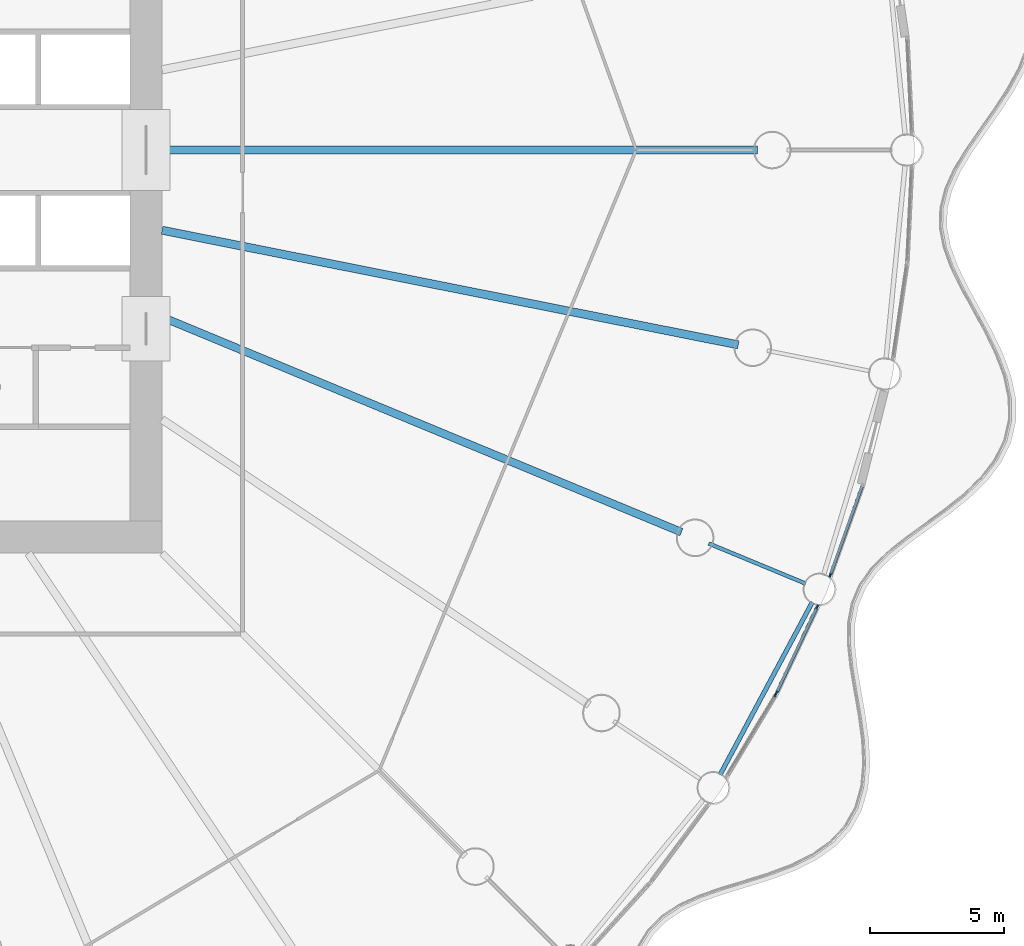
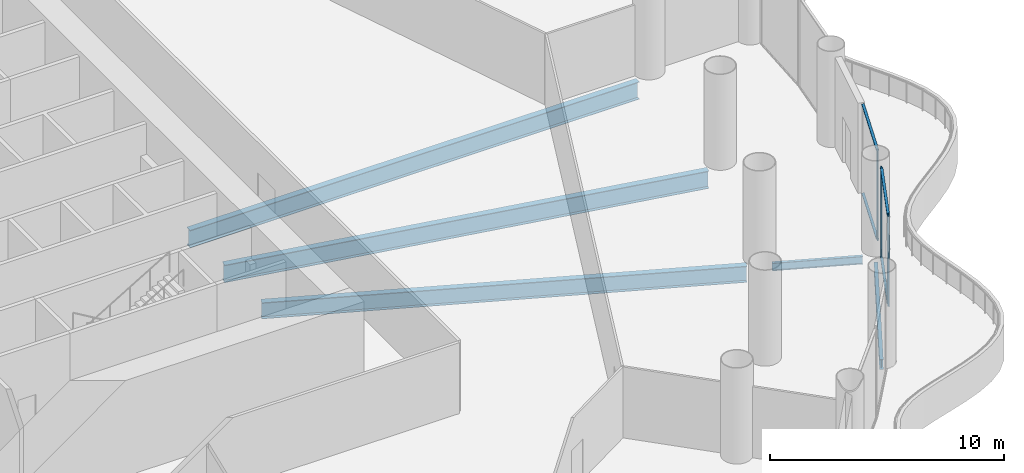
# One storey, part 11 of 35: 8 members, 5 beams, 3 elements without a shape of their own.
"""IFC4 building model written with IfcOpenShell, lengths in metres."""

from ifc_helpers import new_model, si_unit, direction, frame, origin, origin_2d, place, context, subcontext, project, spatial, rectangle, i_section, extrude, material, material_profile, profile_set, type_object, element, aggregate, save


model = new_model("IFC4")

# Units and contexts
model_context = context("Model", 3, precision=1e-05, world=origin(), true_north=direction((0.0, 1.0)))
body_context = subcontext(model_context, "Body", "Model", "MODEL_VIEW")
ifc_project = project(units=[si_unit("LENGTHUNIT", "METRE"), si_unit("AREAUNIT", "SQUARE_METRE"), si_unit("VOLUMEUNIT", "CUBIC_METRE"), si_unit("PLANEANGLEUNIT", "RADIAN"), si_unit("MASSUNIT", "GRAM", prefix="KILO")], contexts=[model_context])

# Site, building, storey
site_placement = place(None, origin())
site = spatial("IfcSite", under=ifc_project, at=site_placement, CompositionType="ELEMENT")
building_placement = place(site_placement, origin())
building = spatial("IfcBuilding", under=site, at=building_placement, Name="Corvane Civic Tower", CompositionType="ELEMENT")
storey_placement = place(building_placement, frame((0.0, 0.0, 27.0)))
storey = spatial("IfcBuildingStorey", under=building, at=storey_placement, Name="L05", CompositionType="ELEMENT", Elevation=27.0)

# Beams
ifc_material_1 = material(Name="Steel ASTM A992 Gr 50", Category="steel")
ifc_material_profile_1 = material_profile(ifc_material_1, i_section(OverallWidth=0.165771484375, OverallDepth=0.5283203125, WebThickness=0.009765625, FlangeThickness=0.013671875, at=origin_2d()), Name="W21X50")
ifc_profile_set_1 = profile_set([ifc_material_profile_1], Name="Steel ASTM A992 Gr 50")
beam_type_1 = type_object("IfcBeamType", Name="EDGE BEAM W21X50", PredefinedType="BEAM", material=ifc_profile_set_1)
beam_1_placement = place(storey_placement, frame((39.1904296875, -16.82568359375, -0.564208984375), z_axis=(-0.471412394598, -0.881912894916, 0.0), x_axis=(0.881912894916, -0.471412394598, 0.0)))
element("IfcBeam", 1, at=beam_1_placement, inside=storey, type_object=beam_type_1, Name="BM-L05-E11", PredefinedType="BEAM", context=body_context, shape_type="SweptSolid", body=[
    extrude(i_section(OverallWidth=0.165771484375, OverallDepth=0.5283203125, WebThickness=0.009765625, FlangeThickness=0.013671875, at=origin_2d()), origin(), (0.0, 0.0, 1.0), 7.270751953125),
])
ifc_material_2 = material(Name="Steel ASTM A992 Gr 50", Category="steel")
ifc_material_profile_2 = material_profile(ifc_material_2, i_section(OverallWidth=0.140380859375, OverallDepth=0.40380859375, WebThickness=0.007080078125, FlangeThickness=0.01123046875, at=origin_2d()), Name="W16X31")
ifc_profile_set_2 = profile_set([ifc_material_profile_2], Name="Steel ASTM A992 Gr 50")
beam_type_2 = type_object("IfcBeamType", Name="FLOOR GIRDER W16X31", PredefinedType="BEAM", material=ifc_profile_set_2)
beam_2_placement = place(storey_placement, frame((35.33837890625, -14.6376953125, -0.501953125), z_axis=(0.923878730261, -0.382685369162, 0.0), x_axis=(0.382685369162, 0.923878730261, 0.0)))
element("IfcBeam", 2, at=beam_2_placement, inside=storey, type_object=beam_type_2, Name="BM-L05-G11b", PredefinedType="BEAM", context=body_context, shape_type="SweptSolid", body=[
    extrude(i_section(OverallWidth=0.140380859375, OverallDepth=0.40380859375, WebThickness=0.007080078125, FlangeThickness=0.01123046875, at=origin_2d()), origin(), (0.0, 0.0, 1.0), 3.89990234375),
])
ifc_material_3 = material(Name="Steel ASTM A992 Gr 50", Category="steel")
ifc_material_profile_3 = material_profile(ifc_material_3, i_section(OverallWidth=0.2919921875, OverallDepth=0.845703125, WebThickness=0.015380859375, FlangeThickness=0.0244140625, at=origin_2d()), Name="W33X141")
ifc_profile_set_3 = profile_set([ifc_material_profile_3], Name="Steel ASTM A992 Gr 50")
beam_type_3 = type_object("IfcBeamType", Name="FLOOR GIRDER W33X141", PredefinedType="BEAM", material=ifc_profile_set_3)
beam_3_placement = place(storey_placement, frame((15.0, -6.213134765625, -0.722900390625), z_axis=(0.923875834355, -0.382692360381, 0.0), x_axis=(0.382692360381, 0.923875834355, 0.0)))
element("IfcBeam", 3, at=beam_3_placement, inside=storey, type_object=beam_type_3, Name="BM-L05-G11", PredefinedType="BEAM", context=body_context, shape_type="SweptSolid", body=[
    extrude(i_section(OverallWidth=0.2919921875, OverallDepth=0.845703125, WebThickness=0.015380859375, FlangeThickness=0.0244140625, at=origin_2d()), origin(), (0.0, 0.0, 1.0), 20.9140625),
])
ifc_material_4 = material(Name="Steel ASTM A992 Gr 50", Category="steel")
ifc_material_profile_4 = material_profile(ifc_material_4, i_section(OverallWidth=0.3046875, OverallDepth=0.911865234375, WebThickness=0.015869140625, FlangeThickness=0.02392578125, at=origin_2d()), Name="W36X150")
ifc_profile_set_4 = profile_set([ifc_material_profile_4], Name="Steel ASTM A992 Gr 50")
beam_type_4 = type_object("IfcBeamType", Name="FLOOR GIRDER W36X150", PredefinedType="BEAM", material=ifc_profile_set_4)
beam_4_placement = place(storey_placement, frame((15.0, 0.0, -0.755859375), z_axis=(1.0, 0.0, 0.0), x_axis=(0.0, 1.0, 0.0)))
element("IfcBeam", 4, at=beam_4_placement, inside=storey, type_object=beam_type_4, Name="BM-L05-G09", PredefinedType="BEAM", context=body_context, shape_type="SweptSolid", body=[
    extrude(i_section(OverallWidth=0.3046875, OverallDepth=0.911865234375, WebThickness=0.015869140625, FlangeThickness=0.02392578125, at=origin_2d()), origin(), (0.0, 0.0, 1.0), 22.14990234375),
])
beam_5_placement = place(storey_placement, frame((15.0, -2.983642578125, -0.755859375), z_axis=(0.980785499679, -0.195089219638, 0.0), x_axis=(0.195089219638, 0.980785499679, 0.0)))
element("IfcBeam", 5, at=beam_5_placement, inside=storey, type_object=beam_type_4, Name="BM-L05-G10", PredefinedType="BEAM", context=body_context, shape_type="SweptSolid", body=[
    extrude(i_section(OverallWidth=0.3046875, OverallDepth=0.911865234375, WebThickness=0.015869140625, FlangeThickness=0.02392578125, at=origin_2d()), origin(), (0.0, 0.0, 1.0), 21.856201171875),
])

# Curtain wall, member
ifc_material_5 = material(Name="Aluminium and glass", Category="aluminium")
curtain_wall_type = type_object("IfcCurtainWallType", Name="PODIUM-CW-P-RUN", PredefinedType="NOTDEFINED", material=ifc_material_5)
curtain_wall_1_placement = place(storey_placement, origin())
curtain_wall_1 = element("IfcCurtainWall", 6, at=curtain_wall_1_placement, inside=storey, type_object=curtain_wall_type, Name="PODI run L05-drum-10B", PredefinedType="NOTDEFINED")
ifc_material_6 = material(Name="Anodised aluminium bronze", Category="aluminium")
ifc_material_profile_5 = material_profile(ifc_material_6, rectangle(XDim=0.06005859375, YDim=0.159912109375, at=origin_2d()), Name="AL 60x160")
ifc_profile_set_5 = profile_set([ifc_material_profile_5], Name="Anodised aluminium bronze")
member_type_1 = type_object("IfcMemberType", Name="PODIUM-CWP-MULLION-60x160", PredefinedType="MULLION", material=ifc_profile_set_5)
member_1_placement = place(storey_placement, frame((39.861083984375, -15.81298828125, 0.0), z_axis=(0.0, 0.0, 1.0), x_axis=(0.941533802561, -0.336918534123, 0.0)))
member_1 = element("IfcMember", 7, at=member_1_placement, type_object=member_type_1, Name="CW-P mullion 2", PredefinedType="MULLION", context=body_context, shape_type="SweptSolid", body=[
    extrude(rectangle(XDim=0.06005859375, YDim=0.159912109375, at=origin_2d()), origin(), (0.0, 0.0, 1.0), 4.699951171875),
])

# Curtain wall, members
curtain_wall_2_placement = place(storey_placement, origin())
curtain_wall_2 = element("IfcCurtainWall", 8, at=curtain_wall_2_placement, inside=storey, type_object=curtain_wall_type, Name="PODI run L05-drum-11A", PredefinedType="NOTDEFINED")
member_2_placement = place(storey_placement, frame((39.36767578125, -17.00439453125, 0.0), z_axis=(0.0, 0.0, 1.0), x_axis=(0.903990222454, -0.42755312852, 0.0)))
member_2 = element("IfcMember", 9, at=member_2_placement, type_object=member_type_1, Name="CW-P mullion 1", PredefinedType="MULLION", context=body_context, shape_type="SweptSolid", body=[
    extrude(rectangle(XDim=0.06005859375, YDim=0.159912109375, at=origin_2d()), origin(), (0.0, 0.0, 1.0), 4.699951171875),
])
member_3_placement = place(storey_placement, frame((37.862548828125, -20.186279296875, 0.0), z_axis=(0.0, 0.0, 1.0), x_axis=(0.903990222454, -0.42755312852, 0.0)))
member_3 = element("IfcMember", 10, at=member_3_placement, type_object=member_type_1, Name="CW-P mullion 2", PredefinedType="MULLION", context=body_context, shape_type="SweptSolid", body=[
    extrude(rectangle(XDim=0.06005859375, YDim=0.159912109375, at=origin_2d()), origin(), (0.0, 0.0, 1.0), 4.699951171875),
])

# Curtain wall, member
curtain_wall_3_placement = place(storey_placement, origin())
curtain_wall_3 = element("IfcCurtainWall", 11, at=curtain_wall_3_placement, inside=storey, type_object=curtain_wall_type, Name="PODI run L05-drum-11B", PredefinedType="NOTDEFINED")
member_4_placement = place(storey_placement, frame((37.819580078125, -20.2666015625, 0.0), z_axis=(0.0, 0.0, 1.0), x_axis=(0.857719609779, -0.514117759857, 0.0)))
member_4 = element("IfcMember", 12, at=member_4_placement, type_object=member_type_1, Name="CW-P mullion 1", PredefinedType="MULLION", context=body_context, shape_type="SweptSolid", body=[
    extrude(rectangle(XDim=0.06005859375, YDim=0.159912109375, at=origin_2d()), origin(), (0.0, 0.0, 1.0), 4.699951171875),
])
aggregate(curtain_wall_3, [member_4])

# Member
ifc_material_7 = material(Name="Anodised aluminium bronze", Category="aluminium")
ifc_material_profile_6 = material_profile(ifc_material_7, rectangle(XDim=0.1201171875, YDim=0.06005859375, at=origin_2d()), Name="AL 120x60")
ifc_profile_set_6 = profile_set([ifc_material_profile_6], Name="Anodised aluminium bronze")
member_type_2 = type_object("IfcMemberType", Name="PODIUM-CWP-TRANSOM-60x120", PredefinedType="USERDEFINED", material=ifc_profile_set_6)
member_5_placement = place(storey_placement, frame((41.036865234375, -12.527099609375, 0.030029296875), z_axis=(-0.336939787896, -0.941526196838, 0.0), x_axis=(0.941526196838, -0.336939787896, 0.0)))
member_5 = element("IfcMember", 13, at=member_5_placement, type_object=member_type_2, Name="CW-P transom 1.1", ObjectType="TRANSOM", PredefinedType="USERDEFINED", context=body_context, shape_type="SweptSolid", body=[
    extrude(rectangle(XDim=0.1201171875, YDim=0.06005859375, at=origin_2d()), origin(), (0.0, 0.0, 1.0), 3.4599609375),
])

member_6_placement = place(storey_placement, frame((41.036865234375, -12.527099609375, 4.669921875), z_axis=(-0.336939787896, -0.941526196838, 0.0), x_axis=(0.941526196838, -0.336939787896, 0.0)))
member_6 = element("IfcMember", 14, at=member_6_placement, type_object=member_type_2, Name="CW-P transom 1.2", ObjectType="TRANSOM", PredefinedType="USERDEFINED", context=body_context, shape_type="SweptSolid", body=[
    extrude(rectangle(XDim=0.1201171875, YDim=0.06005859375, at=origin_2d()), origin(), (0.0, 0.0, 1.0), 3.4599609375),
])

aggregate(curtain_wall_1, [member_1, member_5, member_6])

member_7_placement = place(storey_placement, frame((39.354736328125, -17.031494140625, 0.030029296875), z_axis=(-0.427546343166, -0.903993431638, 0.0), x_axis=(0.903993431638, -0.427546343166, 0.0)))
member_7 = element("IfcMember", 15, at=member_7_placement, type_object=member_type_2, Name="CW-P transom 1.1", ObjectType="TRANSOM", PredefinedType="USERDEFINED", context=body_context, shape_type="SweptSolid", body=[
    extrude(rectangle(XDim=0.1201171875, YDim=0.06005859375, at=origin_2d()), origin(), (0.0, 0.0, 1.0), 3.4599609375),
])

member_8_placement = place(storey_placement, frame((39.354736328125, -17.031494140625, 4.669921875), z_axis=(-0.427546343166, -0.903993431638, 0.0), x_axis=(0.903993431638, -0.427546343166, 0.0)))
member_8 = element("IfcMember", 16, at=member_8_placement, type_object=member_type_2, Name="CW-P transom 1.2", ObjectType="TRANSOM", PredefinedType="USERDEFINED", context=body_context, shape_type="SweptSolid", body=[
    extrude(rectangle(XDim=0.1201171875, YDim=0.06005859375, at=origin_2d()), origin(), (0.0, 0.0, 1.0), 3.4599609375),
])

aggregate(curtain_wall_2, [member_2, member_3, member_7, member_8])

save(model, "model.ifc")
